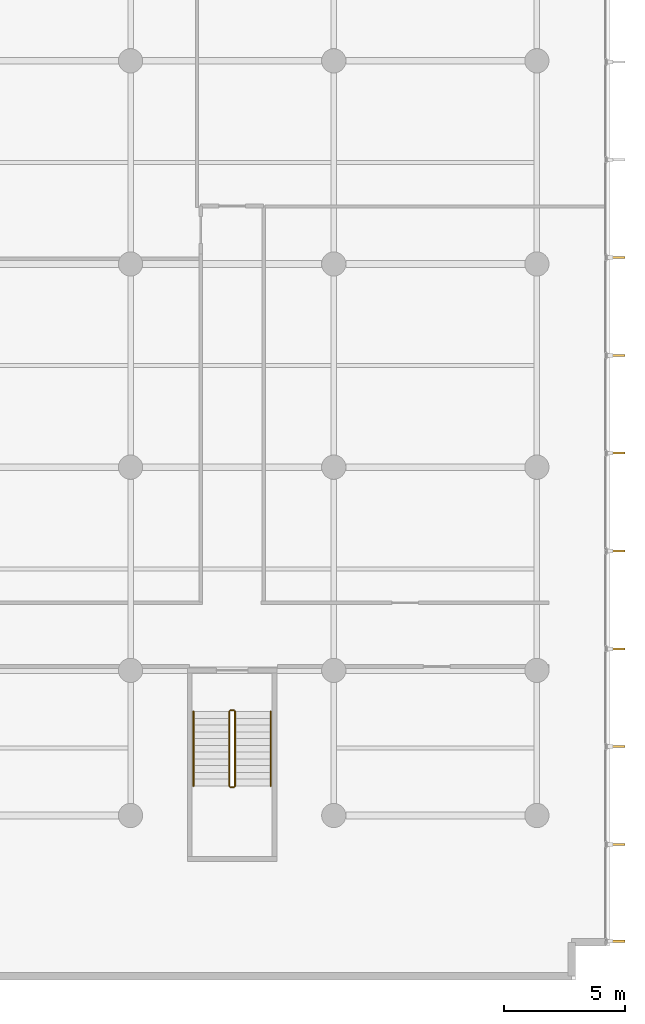
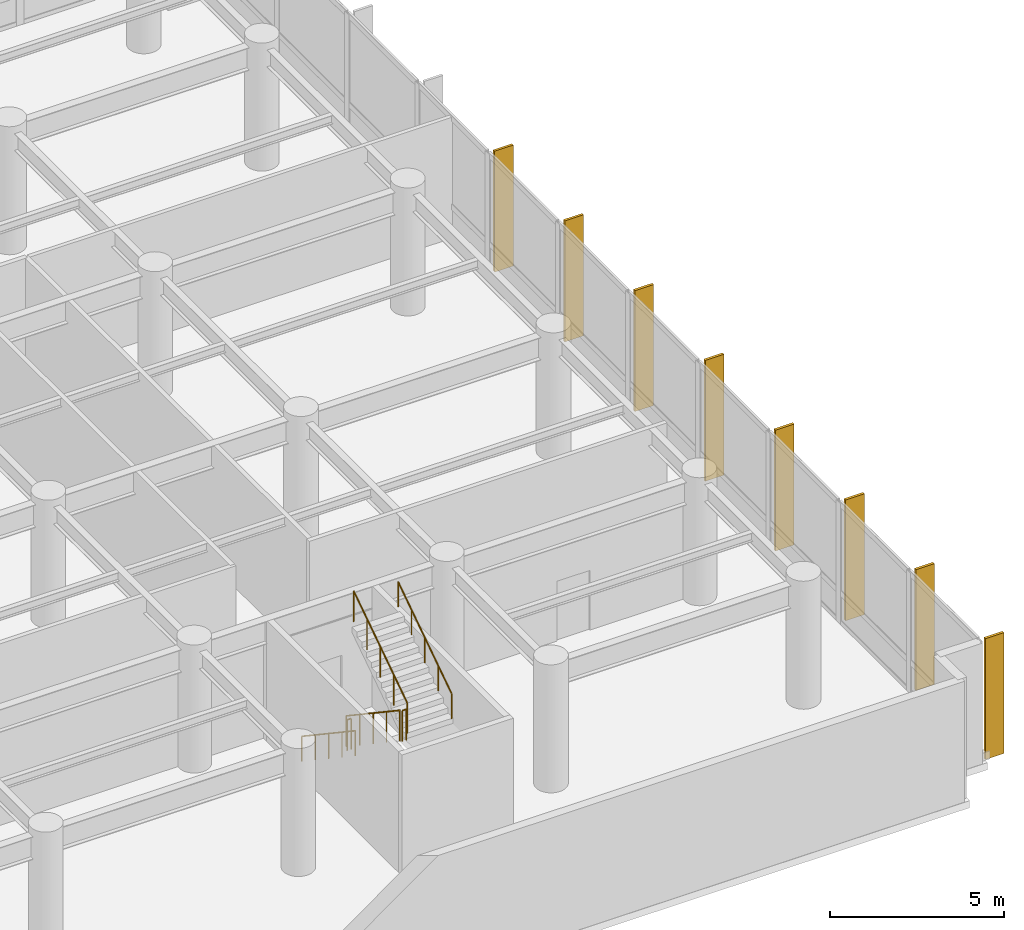
# One storey, part 25 of 26: 8 shading devices, 6 railings.
"""IFC4 building model written with IfcOpenShell, lengths in metres."""

from ifc_helpers import new_model, si_unit, direction, frame, origin, origin_2d, place, context, subcontext, project, spatial, rectangle, circle, extrude, material, layer, layer_set, type_object, element, save


model = new_model("IFC4")

# Units and contexts
model_context = context("Model", 3, precision=1e-05, world=origin(), true_north=direction((0.0, 1.0)))
body_context = subcontext(model_context, "Body", "Model", "MODEL_VIEW")
ifc_project = project(units=[si_unit("LENGTHUNIT", "METRE"), si_unit("AREAUNIT", "SQUARE_METRE"), si_unit("VOLUMEUNIT", "CUBIC_METRE"), si_unit("PLANEANGLEUNIT", "RADIAN"), si_unit("MASSUNIT", "GRAM", prefix="KILO")], contexts=[model_context])

# Site, building, storey
site_placement = place(None, origin())
site = spatial("IfcSite", under=ifc_project, at=site_placement, CompositionType="ELEMENT")
building_placement = place(site_placement, origin())
building = spatial("IfcBuilding", under=site, at=building_placement, Name="Varnakote Quay Hospital", CompositionType="ELEMENT")
storey_placement = place(building_placement, frame((0.0, 0.0, 4.5)))
storey = spatial("IfcBuildingStorey", under=building, at=storey_placement, Name="L01", CompositionType="ELEMENT", Elevation=4.5)

# Railings
ifc_material_1 = material(Name="Brushed stainless steel balustrade", Category="steel")
railing_type_1 = type_object("IfcRailingType", Name="RLG-STAIR-GUARD-1150", PredefinedType="GUARDRAIL", material=ifc_material_1)
railing_1_placement = place(storey_placement, frame((71.280029296875, 10.300048828125, 0.1875)))
element("IfcRailing", 1, at=railing_1_placement, inside=storey, type_object=railing_type_1, Name="L01 ST-06 stair guard 1", PredefinedType="GUARDRAIL", context=body_context, shape_type="SweptSolid", body=[
    extrude(circle(Radius=0.02392578125, at=origin_2d()), frame((0.0, 0.0, 1.076171875), z_axis=(0.0, -0.830913701846, 0.55640131208), x_axis=(1.0, 0.0, 0.0)), (0.0, 0.0, 1.0), 3.706787109375),
    extrude(circle(Radius=0.02099609375, at=origin_2d()), origin(), (0.0, 0.0, 1.0), 1.052001953125),
    extrude(circle(Radius=0.02099609375, at=origin_2d()), frame((0.0, -0.77001953125, 0.515625)), (0.0, 0.0, 1.0), 1.052001953125),
    extrude(circle(Radius=0.02099609375, at=origin_2d()), frame((0.0, -1.5400390625, 1.03125)), (0.0, 0.0, 1.0), 1.052001953125),
    extrude(circle(Radius=0.02099609375, at=origin_2d()), frame((0.0, -2.31005859375, 1.546875)), (0.0, 0.0, 1.0), 1.052001953125),
    extrude(circle(Radius=0.02099609375, at=origin_2d()), frame((0.0, -3.080078125, 2.0625)), (0.0, 0.0, 1.0), 1.052001953125),
])
railing_2_placement = place(storey_placement, frame((71.330078125, 7.169921875, 2.25)))
element("IfcRailing", 2, at=railing_2_placement, inside=storey, type_object=railing_type_1, Name="L01 ST-06 stair guard 2", PredefinedType="GUARDRAIL", context=body_context, shape_type="SweptSolid", body=[
    extrude(circle(Radius=0.02392578125, at=origin_2d()), frame((0.0, 0.0, 1.076171875), z_axis=(1.0, 0.0, 0.0), x_axis=(0.0, 1.0, 0.0)), (0.0, 0.0, 1.0), 0.139892578125),
    extrude(circle(Radius=0.02099609375, at=origin_2d()), origin(), (0.0, 0.0, 1.0), 1.052001953125),
    extrude(circle(Radius=0.02099609375, at=origin_2d()), frame((0.139892578125, 0.0, 0.0)), (0.0, 0.0, 1.0), 1.052001953125),
])
railing_3_placement = place(storey_placement, frame((71.52001953125, 7.219970703125, 2.4375)))
element("IfcRailing", 3, at=railing_3_placement, inside=storey, type_object=railing_type_1, Name="L01 ST-06 stair guard 3", PredefinedType="GUARDRAIL", context=body_context, shape_type="SweptSolid", body=[
    extrude(circle(Radius=0.02392578125, at=origin_2d()), frame((0.0, 0.0, 1.076171875), z_axis=(0.0, 0.830913701846, 0.55640131208), x_axis=(-1.0, 0.0, 0.0)), (0.0, 0.0, 1.0), 3.706787109375),
    extrude(circle(Radius=0.02099609375, at=origin_2d()), origin(), (0.0, 0.0, 1.0), 1.052001953125),
    extrude(circle(Radius=0.02099609375, at=origin_2d()), frame((0.0, 0.77001953125, 0.515625)), (0.0, 0.0, 1.0), 1.052001953125),
    extrude(circle(Radius=0.02099609375, at=origin_2d()), frame((0.0, 1.5400390625, 1.03125)), (0.0, 0.0, 1.0), 1.052001953125),
    extrude(circle(Radius=0.02099609375, at=origin_2d()), frame((0.0, 2.31005859375, 1.546875)), (0.0, 0.0, 1.0), 1.052001953125),
    extrude(circle(Radius=0.02099609375, at=origin_2d()), frame((0.0, 3.080078125, 2.0625)), (0.0, 0.0, 1.0), 1.052001953125),
])
railing_4_placement = place(storey_placement, frame((71.330078125, 10.35009765625, 0.0)))
element("IfcRailing", 4, at=railing_4_placement, inside=storey, type_object=railing_type_1, Name="L01 ST-06 stair guard 4", PredefinedType="GUARDRAIL", context=body_context, shape_type="SweptSolid", body=[
    extrude(circle(Radius=0.02392578125, at=origin_2d()), frame((0.0, 0.0, 1.076171875), z_axis=(1.0, 0.0, 0.0), x_axis=(0.0, 1.0, 0.0)), (0.0, 0.0, 1.0), 0.139892578125),
    extrude(circle(Radius=0.02099609375, at=origin_2d()), origin(), (0.0, 0.0, 1.0), 1.052001953125),
    extrude(circle(Radius=0.02099609375, at=origin_2d()), frame((0.139892578125, 0.0, 0.0)), (0.0, 0.0, 1.0), 1.052001953125),
])
ifc_material_2 = material(Name="Brushed stainless steel handrail", Category="steel")
railing_type_2 = type_object("IfcRailingType", Name="RLG-STAIR-HND-920", PredefinedType="HANDRAIL", material=ifc_material_2)
railing_5_placement = place(storey_placement, frame((69.800048828125, 10.300048828125, 0.1875)))
element("IfcRailing", 5, at=railing_5_placement, inside=storey, type_object=railing_type_2, Name="L01 ST-06 stair handrail 1", PredefinedType="HANDRAIL", context=body_context, shape_type="SweptSolid", body=[
    extrude(circle(Radius=0.02392578125, at=origin_2d()), frame((0.0, 0.0, 0.8759765625), z_axis=(0.0, -0.830913701846, 0.55640131208), x_axis=(1.0, 0.0, 0.0)), (0.0, 0.0, 1.0), 3.706787109375),
    extrude(circle(Radius=0.02099609375, at=origin_2d()), origin(), (0.0, 0.0, 1.0), 0.851806640625),
    extrude(circle(Radius=0.02099609375, at=origin_2d()), frame((0.0, -0.77001953125, 0.515625)), (0.0, 0.0, 1.0), 0.851806640625),
    extrude(circle(Radius=0.02099609375, at=origin_2d()), frame((0.0, -1.5400390625, 1.03125)), (0.0, 0.0, 1.0), 0.851806640625),
    extrude(circle(Radius=0.02099609375, at=origin_2d()), frame((0.0, -2.31005859375, 1.546875)), (0.0, 0.0, 1.0), 0.851806640625),
    extrude(circle(Radius=0.02099609375, at=origin_2d()), frame((0.0, -3.080078125, 2.0625)), (0.0, 0.0, 1.0), 0.851806640625),
])
railing_6_placement = place(storey_placement, frame((73.0, 7.219970703125, 2.4375)))
element("IfcRailing", 6, at=railing_6_placement, inside=storey, type_object=railing_type_2, Name="L01 ST-06 stair handrail 2", PredefinedType="HANDRAIL", context=body_context, shape_type="SweptSolid", body=[
    extrude(circle(Radius=0.02392578125, at=origin_2d()), frame((0.0, 0.0, 0.8759765625), z_axis=(0.0, 0.830913701846, 0.55640131208), x_axis=(-1.0, 0.0, 0.0)), (0.0, 0.0, 1.0), 3.706787109375),
    extrude(circle(Radius=0.02099609375, at=origin_2d()), origin(), (0.0, 0.0, 1.0), 0.851806640625),
    extrude(circle(Radius=0.02099609375, at=origin_2d()), frame((0.0, 0.77001953125, 0.515625)), (0.0, 0.0, 1.0), 0.851806640625),
    extrude(circle(Radius=0.02099609375, at=origin_2d()), frame((0.0, 1.5400390625, 1.03125)), (0.0, 0.0, 1.0), 0.851806640625),
    extrude(circle(Radius=0.02099609375, at=origin_2d()), frame((0.0, 2.31005859375, 1.546875)), (0.0, 0.0, 1.0), 0.851806640625),
    extrude(circle(Radius=0.02099609375, at=origin_2d()), frame((0.0, 3.080078125, 2.0625)), (0.0, 0.0, 1.0), 0.851806640625),
])

# Shading devices
ifc_material_3 = material(Name="Anodised aluminium 6063-T6 Bronze", Category="aluminium")
ifc_layer = layer(ifc_material_3, 0.0849609375)
ifc_layer_set = layer_set([ifc_layer], Name="Anodised aluminium 6063-T6 Bronze")
shading_device_type = type_object("IfcShadingDeviceType", Name="SHD-BRONZE-FIN-620", PredefinedType="USERDEFINED", material=ifc_layer_set)
for number, where, z_axis, x_axis, name in (
    (7, (87.330078125, 0.802490234375, 0.0), (0.0, 0.0, 1.0), (-1.0, 0.0, 0.0), "L01 Anodised Bronze Vertical Shading FIN"),
    (8, (87.330078125, 4.8037109375, 0.0), (0.0, 0.0, 1.0), (-1.0, 0.0, 0.0), "L01 Anodised Bronze Vertical Shading FIN"),
    (9, (87.330078125, 8.847412109375, 0.0), (0.0, 0.0, 1.0), (-1.0, 0.0, 0.0), "L01 Anodised Bronze Vertical Shading FIN"),
    (10, (87.330078125, 12.890869140625, 0.0), (0.0, 0.0, 1.0), (-1.0, 0.0, 0.0), "L01 Anodised Bronze Vertical Shading FIN"),
    (11, (87.330078125, 16.9345703125, 0.0), (0.0, 0.0, 1.0), (-1.0, 0.0, 0.0), "L01 Anodised Bronze Vertical Shading FIN"),
    (12, (87.330078125, 20.978271484375, 0.0), (0.0, 0.0, 1.0), (-1.0, 0.0, 0.0), "L01 Anodised Bronze Vertical Shading FIN"),
    (13, (87.330078125, 25.021728515625, 0.0), (0.0, 0.0, 1.0), (-1.0, 0.0, 0.0), "L01 Anodised Bronze Vertical Shading FIN"),
    (14, (87.330078125, 29.0654296875, 0.0), (0.0, 0.0, 1.0), (-1.0, 0.0, 0.0), "L01 Anodised Bronze Vertical Shading FIN"),
):
    element("IfcShadingDevice", number, at=place(storey_placement, frame(where, z_axis=z_axis, x_axis=x_axis)), inside=storey, type_object=shading_device_type, Name=name, ObjectType="FIN", PredefinedType="USERDEFINED", context=body_context, shape_type="SweptSolid", body=[
        extrude(rectangle(XDim=0.6201171875, YDim=0.0849609375, at=origin_2d()), origin(), (0.0, 0.0, 1.0), 4.25),
    ])

save(model, "model.ifc")
